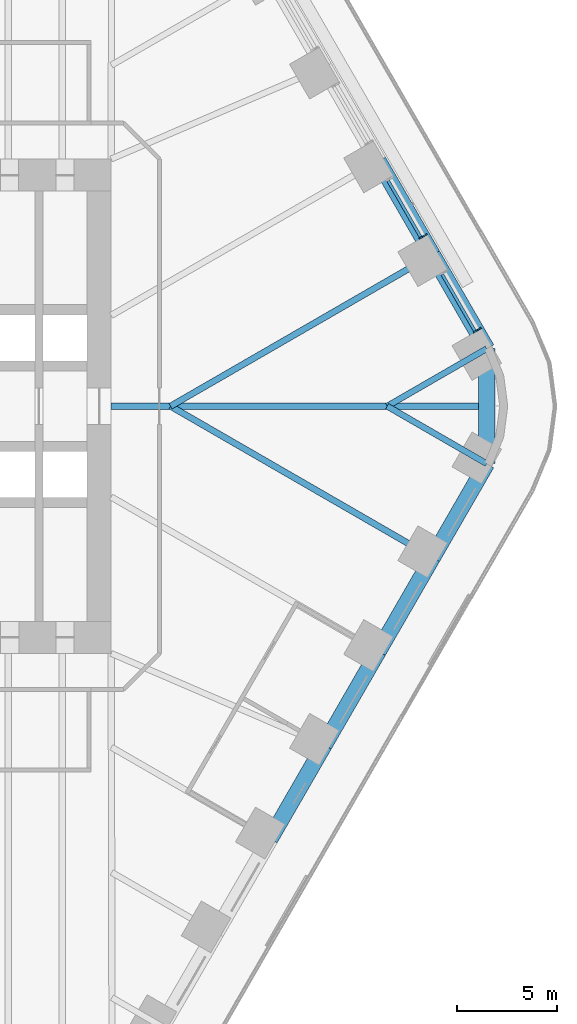
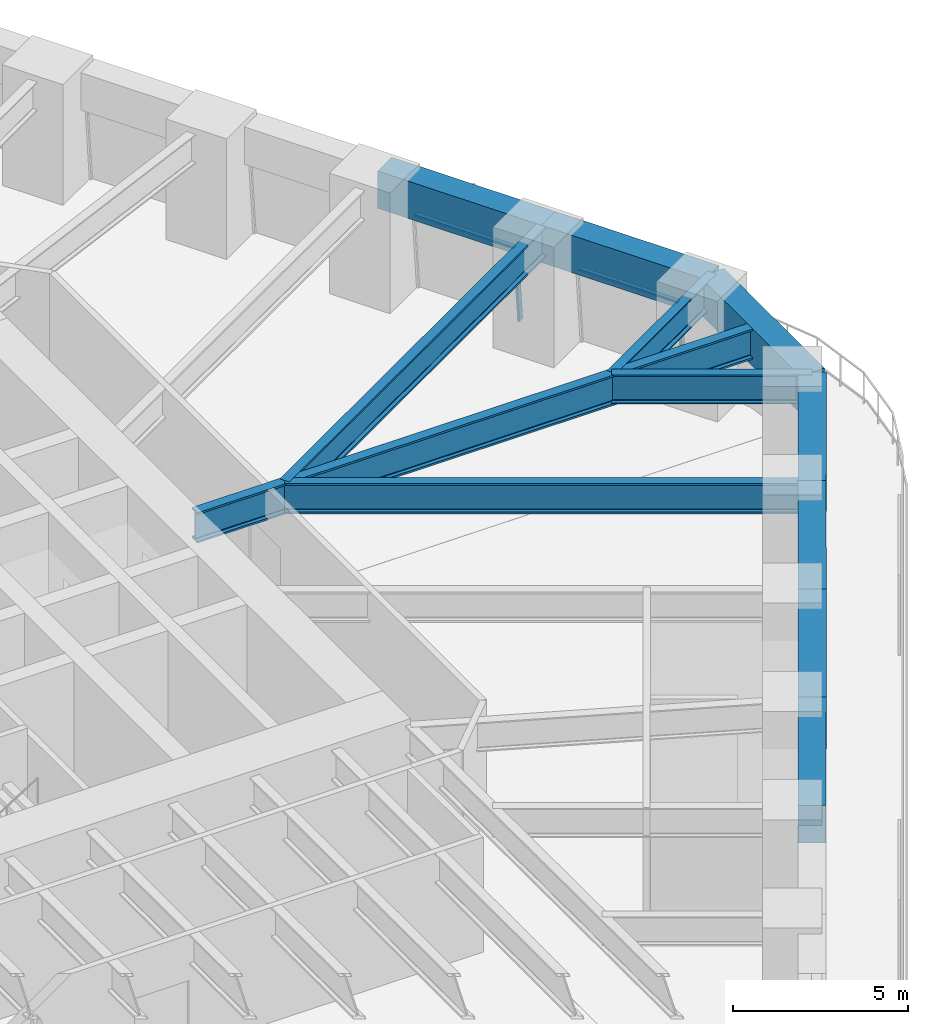
# One storey, part 12 of 23: 12 beams, 4 members, 2 elements without a shape of their own.
"""IFC4 building model written with IfcOpenShell, lengths in metres."""

import ifcopenshell
import ifcopenshell.guid

model = None  # the IFC model being written
_history = None  # IfcOwnerHistory: only IFC2X3 demands one
_inside = {}  # id of a spatial element -> (the spatial element, [elements in it])
_under = {}  # id of a project, library or spatial element -> (it, [spatial elements below it])
_declared = {}  # id of a project -> (the project, [libraries it declares])
_typed = {}  # id of a type object -> (the type object, [elements of that type])
_made_of = {}  # id of a material, layer set ... -> (it, [elements and type objects made of it])


def new_model(schema):
    """Start an empty IFC model of exactly this schema.

    Asked for "IFC4X3", IfcOpenShell would pick the latest addendum, in which some entities
    have other attributes; the version numbers below select the first issue.
    IFC2X3 requires an IfcOwnerHistory on every rooted entity: one is made here for all.
    """
    global model, _history
    if schema == "IFC4X3":
        model = ifcopenshell.file(schema_version=(4, 3, 0, 0))
    else:
        model = ifcopenshell.file(schema=schema)
    _inside.clear()
    _under.clear()
    _declared.clear()
    _typed.clear()
    _made_of.clear()
    _history = None
    if model.schema == "IFC2X3":
        org = make("IfcOrganization", Name="unknown")
        user = make(
            "IfcPersonAndOrganization",
            ThePerson=make("IfcPerson", FamilyName="unknown"),
            TheOrganization=org,
        )
        app = make(
            "IfcApplication",
            ApplicationDeveloper=org,
            Version="unknown",
            ApplicationFullName="unknown",
            ApplicationIdentifier="unknown",
        )
        _history = make(
            "IfcOwnerHistory",
            OwningUser=user,
            OwningApplication=app,
            ChangeAction="ADDED",
            CreationDate=0,
        )
    return model


def make(cls, **values):
    """One entity of the class cls with the attributes given. An attribute that is None is left unset."""
    return model.create_entity(
        cls, **{name: value for name, value in values.items() if value is not None}
    )


def rooted(cls, **values):
    """An entity with a GlobalId (a new one), such as an element, a storey or a relation."""
    return make(cls, GlobalId=ifcopenshell.guid.new(), OwnerHistory=_history, **values)


def si_unit(unit_type, name, prefix=None):
    """IfcSIUnit, for example si_unit("LENGTHUNIT", "METRE", prefix="MILLI")."""
    return make("IfcSIUnit", UnitType=unit_type, Prefix=prefix, Name=name)


def assignment(units):
    """IfcUnitAssignment: the units of a project."""
    return None if units is None else make("IfcUnitAssignment", Units=units)


def point(xyz):
    """IfcCartesianPoint."""
    return None if xyz is None else make("IfcCartesianPoint", Coordinates=xyz)


def direction(xyz):
    """IfcDirection."""
    return None if xyz is None else make("IfcDirection", DirectionRatios=xyz)


def frame(location, z_axis=None, x_axis=None):
    """IfcAxis2Placement3D, a coordinate frame: its origin and axes. An axis left out is left unset."""
    return make(
        "IfcAxis2Placement3D",
        Location=point(location),
        Axis=direction(z_axis),
        RefDirection=direction(x_axis),
    )


def frame_2d(location, x_axis=None):
    """IfcAxis2Placement2D, a coordinate frame in the plane: its origin and x axis."""
    return make(
        "IfcAxis2Placement2D", Location=point(location), RefDirection=direction(x_axis)
    )


def origin():
    """The frame at (0, 0, 0) with its axes left unset."""
    return frame((0.0, 0.0, 0.0))


def origin_2d():
    """The frame at (0, 0) in the plane with its x axis left unset."""
    return frame_2d((0.0, 0.0))


def place(relative_to, where):
    """IfcLocalPlacement: puts the frame where relative to a parent placement (None: the world)."""
    return make(
        "IfcLocalPlacement", PlacementRelTo=relative_to, RelativePlacement=where
    )


def context(
    kind, dimensions, precision=None, world=None, true_north=None, identifier=None
):
    """IfcGeometricRepresentationContext, for example the 3D "Model" context."""
    return make(
        "IfcGeometricRepresentationContext",
        ContextIdentifier=identifier,
        ContextType=kind,
        CoordinateSpaceDimension=dimensions,
        Precision=precision,
        WorldCoordinateSystem=world,
        TrueNorth=true_north,
    )


def subcontext(parent, identifier, kind, view, scale=None):
    """IfcGeometricRepresentationSubContext, for example "Body" below "Model"."""
    return make(
        "IfcGeometricRepresentationSubContext",
        ContextIdentifier=identifier,
        ContextType=kind,
        ParentContext=parent,
        TargetScale=scale,
        TargetView=view,
    )


def project(units=None, contexts=None):
    """IfcProject with its units and contexts."""
    return rooted(
        "IfcProject",
        Name="project",
        RepresentationContexts=contexts,
        UnitsInContext=assignment(units),
    )


def spatial(cls, under=None, at=None, **own):
    """A site, building, storey or space (cls), placed at a placement, below another one or the project."""
    s = rooted(cls, ObjectPlacement=at, **own)
    if under is not None:
        _under.setdefault(under.id(), (under, []))[1].append(s)
    return s


def profile(cls, at=None, kind="AREA", **sizes):
    """A parametric profile (cls). Its sizes go by their IFC names, for example OverallWidth=200.0."""
    return make(cls, ProfileType=kind, Position=at, **sizes)


def rectangle(**sizes):
    """IfcRectangleProfileDef."""
    return profile("IfcRectangleProfileDef", **sizes)


def i_section(**sizes):
    """IfcIShapeProfileDef."""
    return profile("IfcIShapeProfileDef", **sizes)


def extrude(swept, where, along, depth):
    """IfcExtrudedAreaSolid: the profile swept, set in the frame where, extruded along a direction by depth."""
    return make(
        "IfcExtrudedAreaSolid",
        SweptArea=swept,
        Position=where,
        ExtrudedDirection=direction(along),
        Depth=depth,
    )


def shape(context_of_items, identifier, shape_type, items):
    """IfcShapeRepresentation: the items that make up one representation, for example the "Body"."""
    return make(
        "IfcShapeRepresentation",
        ContextOfItems=context_of_items,
        RepresentationIdentifier=identifier,
        RepresentationType=shape_type,
        Items=items,
    )


def material(Name=None, Category=None):
    """IfcMaterial."""
    return make("IfcMaterial", Name=Name, Category=Category)


def material_profile(
    of_material, cross_section, Name=None, Category=None, Priority=None
):
    """IfcMaterialProfile: a cross section and its material."""
    return make(
        "IfcMaterialProfile",
        Name=Name,
        Material=of_material,
        Profile=cross_section,
        Priority=Priority,
        Category=Category,
    )


def profile_set(profiles, Name=None, composite=None):
    """IfcMaterialProfileSet."""
    return make(
        "IfcMaterialProfileSet",
        Name=Name,
        MaterialProfiles=profiles,
        CompositeProfile=composite,
    )


def made_of(thing, what):
    """Note that an element or type object is made of a material, layer set ...; save() writes the relation."""
    if what is not None:
        _made_of.setdefault(what.id(), (what, []))[1].append(thing)
    return thing


def type_object(cls, material=None, **own):
    """A type object (cls), such as IfcWallType, which elements share."""
    return made_of(rooted(cls, **own), material)


def element(
    cls,
    number,
    at=None,
    inside=None,
    cuts=None,
    type_object=None,
    material=None,
    context=None,
    identifier="Body",
    shape_type=None,
    held_by="IfcProductDefinitionShape",
    body=None,
    shapes=None,
    **own,
):
    """One element of the class cls, such as IfcWall. Its Tag is "e" and its number.

    at: its placement. inside: the storey or other place that contains it. cuts: it is an
    opening in that element (IfcRelVoidsElement). A single representation is given by context,
    identifier, shape_type and body (its items); several are given by shapes. held_by: the class
    of the entity that holds the representations. save() writes the other relations.
    """
    e = rooted(cls, Tag="e%d" % number, ObjectPlacement=at, **own)
    if body is not None:
        shapes = [shape(context, identifier, shape_type, body)]
    if shapes is not None:
        e.Representation = make(held_by, Representations=shapes)
    if inside is not None:
        _inside.setdefault(inside.id(), (inside, []))[1].append(e)
    if cuts is not None:
        rooted(
            "IfcRelVoidsElement", RelatingBuildingElement=cuts, RelatedOpeningElement=e
        )
    if type_object is not None:
        _typed.setdefault(type_object.id(), (type_object, []))[1].append(e)
    return made_of(e, material)


def aggregate(whole, parts):
    """IfcRelAggregates: a whole, such as a stair, and the parts it consists of."""
    return rooted("IfcRelAggregates", RelatingObject=whole, RelatedObjects=parts)


def save(model, path):
    """Write the relations noted so far, then the file.

    IfcRelAggregates (storeys below a building ...), IfcRelContainedInSpatialStructure (elements
    in a storey), IfcRelDefinesByType, IfcRelAssociatesMaterial and IfcRelDeclares: one each for
    every whole, place, type object, material and project.
    """
    for whole, parts in _under.values():
        aggregate(whole, parts)
    for where, things in _inside.values():
        rooted(
            "IfcRelContainedInSpatialStructure",
            RelatedElements=things,
            RelatingStructure=where,
        )
    for kind, things in _typed.values():
        rooted("IfcRelDefinesByType", RelatedObjects=things, RelatingType=kind)
    for what, things in _made_of.values():
        rooted("IfcRelAssociatesMaterial", RelatedObjects=things, RelatingMaterial=what)
    for by, libraries in _declared.values():
        rooted("IfcRelDeclares", RelatingContext=by, RelatedDefinitions=libraries)
    model.write(path)


model = new_model("IFC4")

# Units and contexts
model_context = context("Model", 3, precision=1e-05, world=origin(), true_north=direction((0.0, 1.0)))
body_context = subcontext(model_context, "Body", "Model", "MODEL_VIEW")
ifc_project = project(units=[si_unit("LENGTHUNIT", "METRE"), si_unit("AREAUNIT", "SQUARE_METRE"), si_unit("VOLUMEUNIT", "CUBIC_METRE"), si_unit("PLANEANGLEUNIT", "RADIAN"), si_unit("MASSUNIT", "GRAM", prefix="KILO")], contexts=[model_context])

# Site, building, storey
site_placement = place(None, origin())
site = spatial("IfcSite", under=ifc_project, at=site_placement, CompositionType="ELEMENT")
building_placement = place(site_placement, origin())
building = spatial("IfcBuilding", under=site, at=building_placement, Name="Tarfa Lantern Tower", CompositionType="ELEMENT")
storey_placement = place(building_placement, frame((0.0, 0.0, 82.300048828125)))
storey = spatial("IfcBuildingStorey", under=building, at=storey_placement, Name="L18", CompositionType="ELEMENT", Elevation=82.300048828125)

# Curtain wall, member
ifc_material_1 = material(Name="Aluminium framed curtain wall", Category="aluminium")
curtain_wall_type = type_object("IfcCurtainWallType", Name="CW1 CANTED GLAZING LOW ZONE 2700", PredefinedType="USERDEFINED", material=ifc_material_1)
curtain_wall_1_placement = place(storey_placement, origin())
curtain_wall_1 = element("IfcCurtainWall", 1, at=curtain_wall_1_placement, inside=storey, type_object=curtain_wall_type, Name="CW1 NE L18", ObjectType="CURTAIN WALL", PredefinedType="USERDEFINED")
ifc_material_2 = material(Name="Aluminium mullion", Category="aluminium")
ifc_material_profile_1 = material_profile(ifc_material_2, rectangle(XDim=0.06494140625, YDim=0.199951171875, at=origin_2d()), Name="AL MULLION 65x200")
ifc_profile_set_1 = profile_set([ifc_material_profile_1], Name="Aluminium mullion")
member_type_1 = type_object("IfcMemberType", Name="CWM1 MULLION 65x200", PredefinedType="MULLION", material=ifc_profile_set_1)
member_1_placement = place(storey_placement, frame((36.9248046875, 3.84423828125, 0.0), z_axis=(-0.079774955866, -0.04610020023, 0.995746317068), x_axis=(0.500342721131, -0.865827443207, 0.0)))
member_1 = element("IfcMember", 2, at=member_1_placement, type_object=member_type_1, Name="CW1 mullion 1", PredefinedType="MULLION", context=body_context, shape_type="SweptSolid", body=[
    extrude(rectangle(XDim=0.06494140625, YDim=0.199951171875, at=origin_2d()), origin(), (0.0, 0.0, 1.0), 2.71142578125),
])

curtain_wall_2_placement = place(storey_placement, origin())
curtain_wall_2 = element("IfcCurtainWall", 3, at=curtain_wall_2_placement, inside=storey, type_object=curtain_wall_type, Name="CW1 NE L18", ObjectType="CURTAIN WALL", PredefinedType="USERDEFINED")
member_2_placement = place(storey_placement, frame((34.230712890625, 8.5107421875, 0.0), z_axis=(-0.07986442134, -0.046099868913, 0.99573916077), x_axis=(0.499919672301, -0.866071776036, 0.0)))
member_2 = element("IfcMember", 4, at=member_2_placement, type_object=member_type_1, Name="CW1 mullion 1", PredefinedType="MULLION", context=body_context, shape_type="SweptSolid", body=[
    extrude(rectangle(XDim=0.06494140625, YDim=0.199951171875, at=origin_2d()), origin(), (0.0, 0.0, 1.0), 2.71142578125),
])

# Member
ifc_material_3 = material(Name="Aluminium transom", Category="aluminium")
ifc_material_profile_2 = material_profile(ifc_material_3, rectangle(XDim=0.14990234375, YDim=0.06494140625, at=origin_2d()), Name="AL TRANSOM 150x65")
ifc_profile_set_2 = profile_set([ifc_material_profile_2], Name="Aluminium transom")
member_type_2 = type_object("IfcMemberType", Name="CWT1 TRANSOM 150x65", PredefinedType="USERDEFINED", material=ifc_profile_set_2)
member_3_placement = place(storey_placement, frame((36.69482421875, 3.748779296875, 2.66748046875), z_axis=(-0.500022939057, 0.866012159509, 0.0), x_axis=(-0.866012159509, -0.500022939057, 0.0)))
member_3 = element("IfcMember", 5, at=member_3_placement, type_object=member_type_2, Name="CW1 transom 1.2", ObjectType="TRANSOM", PredefinedType="USERDEFINED", context=body_context, shape_type="SweptSolid", body=[
    extrude(rectangle(XDim=0.14990234375, YDim=0.06494140625, at=origin_2d()), origin(), (0.0, 0.0, 1.0), 3.258544921875),
])

aggregate(curtain_wall_1, [member_1, member_3])

member_4_placement = place(storey_placement, frame((34.00048828125, 8.41552734375, 2.66748046875), z_axis=(-0.500022939057, 0.866012159509, 0.0), x_axis=(-0.866012159509, -0.500022939057, 0.0)))
member_4 = element("IfcMember", 6, at=member_4_placement, type_object=member_type_2, Name="CW1 transom 1.2", ObjectType="TRANSOM", PredefinedType="USERDEFINED", context=body_context, shape_type="SweptSolid", body=[
    extrude(rectangle(XDim=0.14990234375, YDim=0.06494140625, at=origin_2d()), origin(), (0.0, 0.0, 1.0), 3.258544921875),
])

aggregate(curtain_wall_2, [member_2, member_4])

# Beams
ifc_material_4 = material(Name="Concrete C80/95", Category="concrete")
ifc_material_profile_3 = material_profile(ifc_material_4, rectangle(XDim=0.800048828125, YDim=1.300048828125, at=origin_2d()), Name="RC 800x1300")
ifc_profile_set_3 = profile_set([ifc_material_profile_3], Name="Concrete C80/95")
beam_type_1 = type_object("IfcBeamType", Name="EB1 RC 800x1300", PredefinedType="SPANDREL", material=ifc_profile_set_3)
beam_1_placement = place(storey_placement, frame((37.285400390625, 2.860107421875, 3.349853515625), z_axis=(-0.500017906299, 0.866015065331, 0.0), x_axis=(-0.866015065331, -0.500017906299, 0.0)))
element("IfcBeam", 7, at=beam_1_placement, inside=storey, type_object=beam_type_1, Name="Edge beam NE0", PredefinedType="SPANDREL", context=body_context, shape_type="SweptSolid", body=[
    extrude(rectangle(XDim=0.800048828125, YDim=1.300048828125, at=origin_2d()), origin(), (0.0, 0.0, 1.0), 5.388427734375),
])
beam_2_placement = place(storey_placement, frame((34.591064453125, 7.526611328125, 3.349853515625), z_axis=(-0.499998287579, 0.866026392449, 0.0), x_axis=(-0.866026392449, -0.499998287579, 0.0)))
element("IfcBeam", 8, at=beam_2_placement, inside=storey, type_object=beam_type_1, Name="Edge beam NE1", PredefinedType="SPANDREL", context=body_context, shape_type="SweptSolid", body=[
    extrude(rectangle(XDim=0.800048828125, YDim=1.300048828125, at=origin_2d()), origin(), (0.0, 0.0, 1.0), 5.388671875),
])
beam_3_placement = place(storey_placement, frame((26.508056640625, -21.526611328125, 3.349853515625), z_axis=(0.500017906299, 0.866015065331, 0.0), x_axis=(-0.866015065331, 0.500017906299, 0.0)))
element("IfcBeam", 9, at=beam_3_placement, inside=storey, type_object=beam_type_1, Name="Edge beam SE2", PredefinedType="SPANDREL", context=body_context, shape_type="SweptSolid", body=[
    extrude(rectangle(XDim=0.800048828125, YDim=1.300048828125, at=origin_2d()), origin(), (0.0, 0.0, 1.0), 5.388427734375),
])
for number, where, z_axis, x_axis, name in (
    (10, (29.202392578125, -16.860107421875, 3.349853515625), (0.499998287579, 0.866026392449, 0.0), (-0.866026392449, 0.499998287579, 0.0), "Edge beam SE3"),
    (11, (31.896728515625, -12.193359375, 3.349853515625), (0.499998287579, 0.866026392449, 0.0), (-0.866026392449, 0.499998287579, 0.0), "Edge beam SE4"),
):
    element("IfcBeam", number, at=place(storey_placement, frame(where, z_axis=z_axis, x_axis=x_axis)), inside=storey, type_object=beam_type_1, Name=name, PredefinedType="SPANDREL", context=body_context, shape_type="SweptSolid", body=[
        extrude(rectangle(XDim=0.800048828125, YDim=1.300048828125, at=origin_2d()), origin(), (0.0, 0.0, 1.0), 5.388671875),
    ])
beam_4_placement = place(storey_placement, frame((34.591064453125, -7.526611328125, 3.349853515625), z_axis=(0.500017906299, 0.866015065331, 0.0), x_axis=(-0.866015065331, 0.500017906299, 0.0)))
element("IfcBeam", 12, at=beam_4_placement, inside=storey, type_object=beam_type_1, Name="Edge beam SE5", PredefinedType="SPANDREL", context=body_context, shape_type="SweptSolid", body=[
    extrude(rectangle(XDim=0.800048828125, YDim=1.300048828125, at=origin_2d()), origin(), (0.0, 0.0, 1.0), 5.388427734375),
])
beam_5_placement = place(storey_placement, frame((37.285400390625, -2.860107421875, 3.349853515625), z_axis=(0.0, 1.0, 0.0), x_axis=(-1.0, 0.0, 0.0)))
element("IfcBeam", 13, at=beam_5_placement, inside=storey, type_object=beam_type_1, Name="Edge beam SE6", PredefinedType="SPANDREL", context=body_context, shape_type="SweptSolid", body=[
    extrude(rectangle(XDim=0.800048828125, YDim=1.300048828125, at=origin_2d()), origin(), (0.0, 0.0, 1.0), 5.72021484375),
])
ifc_material_5 = material(Name="Steel S460M", Category="steel")
ifc_material_profile_4 = material_profile(ifc_material_5, i_section(OverallWidth=0.302001953125, OverallDepth=1.008056640625, WebThickness=0.02099609375, FlangeThickness=0.0400390625, FilletRadius=0.030029296875, at=origin_2d()), Name="UB1016x305x349")
ifc_profile_set_4 = profile_set([ifc_material_profile_4], Name="Steel S460M")
beam_type_2 = type_object("IfcBeamType", Name="UB1016x305x349", PredefinedType="BEAM", material=ifc_profile_set_4)
for number, where, z_axis, x_axis, name in (
    (14, (37.285400390625, 2.860107421875, 3.495849609375), (-0.866025668288, -0.499999541866, 0.0), (0.499999541866, -0.866025668288, 0.0), "Floor beam NE0"),
    (15, (37.285400390625, -2.860107421875, 3.495849609375), (-0.866025668288, 0.499999541866, 0.0), (-0.499999541866, -0.866025668288, 0.0), "Floor beam SE6"),
):
    element("IfcBeam", number, at=place(storey_placement, frame(where, z_axis=z_axis, x_axis=x_axis)), inside=storey, type_object=beam_type_2, Name=name, PredefinedType="BEAM", context=body_context, shape_type="SweptSolid", body=[
        extrude(i_section(OverallWidth=0.302001953125, OverallDepth=1.008056640625, WebThickness=0.02099609375, FlangeThickness=0.0400390625, FilletRadius=0.030029296875, at=origin_2d()), origin(), (0.0, 0.0, 1.0), 5.72021484375),
    ])
ifc_material_profile_5 = material_profile(ifc_material_5, i_section(OverallWidth=0.314208984375, OverallDepth=1.055908203125, WebThickness=0.035888671875, FlangeThickness=0.06396484375, FilletRadius=0.030029296875, at=origin_2d()), Name="UB1016x305x584")
ifc_profile_set_5 = profile_set([ifc_material_profile_5], Name="Steel S460M")
beam_type_3 = type_object("IfcBeamType", Name="UB1016x305x584", PredefinedType="BEAM", material=ifc_profile_set_5)
beam_6_placement = place(storey_placement, frame((18.60009765625, 0.0, 3.471923828125), z_axis=(1.0, 0.0, 0.0), x_axis=(0.0, 1.0, 0.0)))
element("IfcBeam", 16, at=beam_6_placement, inside=storey, type_object=beam_type_3, Name="Hip girder E", PredefinedType="BEAM", context=body_context, shape_type="SweptSolid", body=[
    extrude(i_section(OverallWidth=0.314208984375, OverallDepth=1.055908203125, WebThickness=0.035888671875, FlangeThickness=0.06396484375, FilletRadius=0.030029296875, at=origin_2d()), origin(), (0.0, 0.0, 1.0), 18.685302734375),
])
for number, where, z_axis, x_axis, name in (
    (17, (34.591064453125, 7.526611328125, 3.471923828125), (-0.86602785945, -0.499995746638, 0.0), (0.499995746638, -0.86602785945, 0.0), "Floor beam NE1"),
    (18, (34.591064453125, -7.526611328125, 3.471923828125), (-0.86602785945, 0.499995746638, 0.0), (-0.499995746638, -0.86602785945, 0.0), "Floor beam SE5"),
):
    element("IfcBeam", number, at=place(storey_placement, frame(where, z_axis=z_axis, x_axis=x_axis)), inside=storey, type_object=beam_type_3, Name=name, PredefinedType="BEAM", context=body_context, shape_type="SweptSolid", body=[
        extrude(i_section(OverallWidth=0.314208984375, OverallDepth=1.055908203125, WebThickness=0.035888671875, FlangeThickness=0.06396484375, FilletRadius=0.030029296875, at=origin_2d()), origin(), (0.0, 0.0, 1.0), 15.053466796875),
    ])

save(model, "model.ifc")
